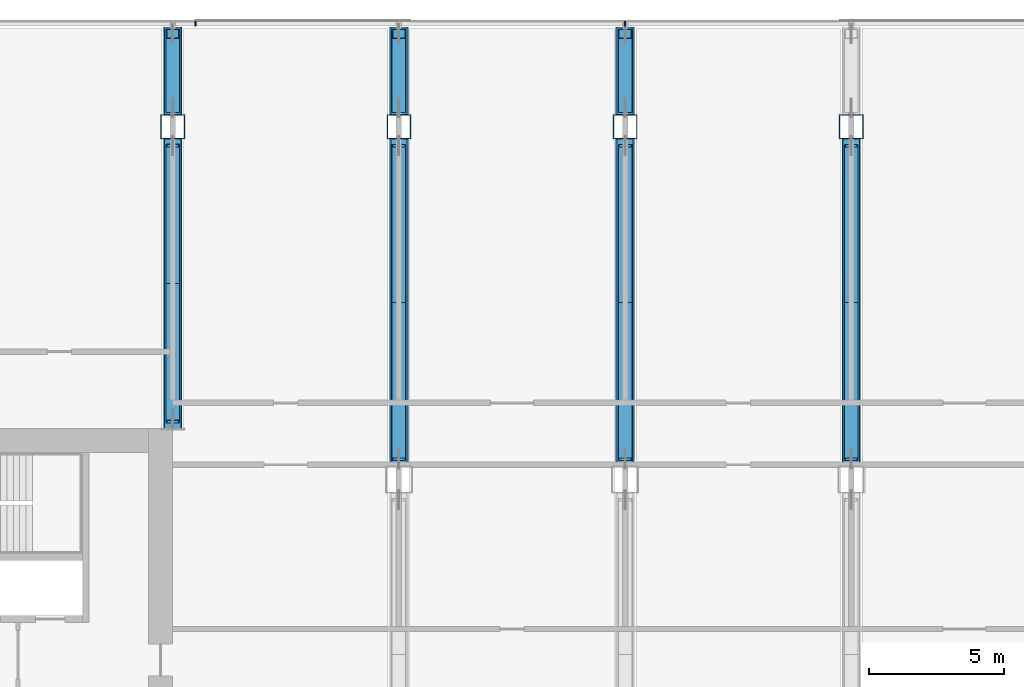
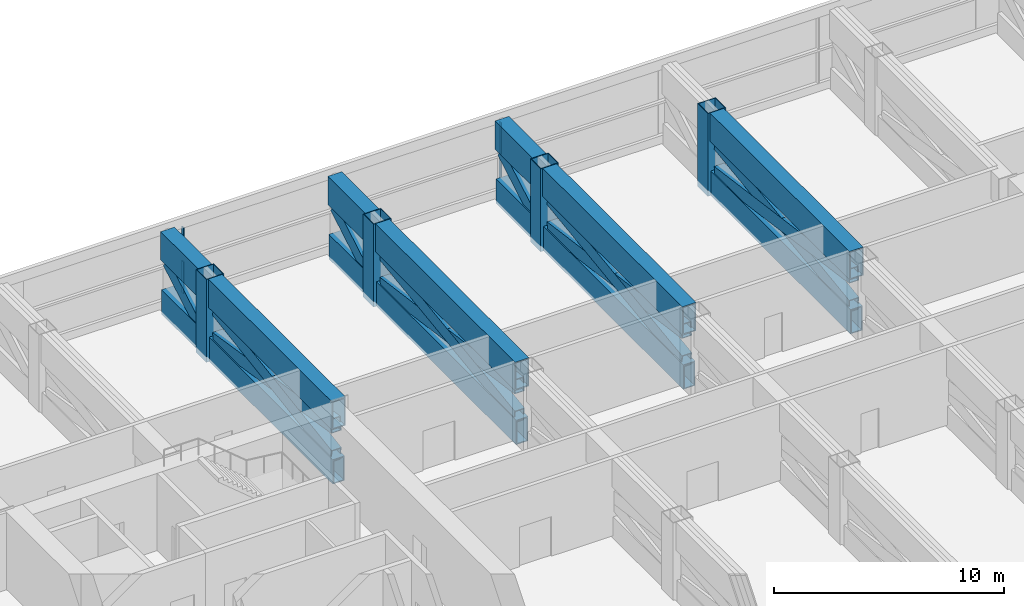
# One storey, part 8 of 30: 33 members, 1 element without a shape of its own.
"""IFC4 building model written with IfcOpenShell, lengths in metres."""

from ifc_helpers import new_model, si_unit, direction, frame, origin, origin_2d, place, context, subcontext, project, spatial, rectangle, hollow_rectangle, extrude, material, layer, layer_set, material_profile, profile_set, type_object, element, aggregate, save


model = new_model("IFC4")

# Units and contexts
model_context = context("Model", 3, precision=1e-05, world=origin(), true_north=direction((0.0, 1.0)))
body_context = subcontext(model_context, "Body", "Model", "MODEL_VIEW")
ifc_project = project(units=[si_unit("LENGTHUNIT", "METRE"), si_unit("AREAUNIT", "SQUARE_METRE"), si_unit("VOLUMEUNIT", "CUBIC_METRE"), si_unit("PLANEANGLEUNIT", "RADIAN"), si_unit("MASSUNIT", "GRAM", prefix="KILO")], contexts=[model_context])

# Site, building, storey
site_placement = place(None, origin())
site = spatial("IfcSite", under=ifc_project, at=site_placement, CompositionType="ELEMENT")
building_placement = place(site_placement, origin())
building = spatial("IfcBuilding", under=site, at=building_placement, Name="Hakoniwa Tower and Hamabe Station Hall", CompositionType="ELEMENT")
storey_placement = place(building_placement, frame((0.0, 0.0, 64.60009765625)))
storey = spatial("IfcBuildingStorey", under=building, at=storey_placement, Name="L18", CompositionType="ELEMENT", Elevation=64.60009765625)

# Curtain wall, members
ifc_material_1 = material(Name="Dark low-e laminated glass", Category="glass")
ifc_layer = layer(ifc_material_1, 0.199951171875)
ifc_layer_set = layer_set([ifc_layer], Name="CW-6 PLANT LOUVRE")
curtain_wall_type = type_object("IfcCurtainWallType", Name="CW-6 PLANT LOUVRE", PredefinedType="NOTDEFINED", material=ifc_layer_set)
curtain_wall_placement = place(storey_placement, origin())
curtain_wall = element("IfcCurtainWall", 1, at=curtain_wall_placement, inside=storey, type_object=curtain_wall_type, Name="CW-6 curtain wall", PredefinedType="NOTDEFINED")
ifc_material_2 = material(Name="Aluminium 6063-T5 black anodised", Category="aluminium")
ifc_material_profile_1 = material_profile(ifc_material_2, rectangle(XDim=0.06005859375, YDim=0.179931640625, at=origin_2d()), Name="CW-1 MULLION 60X180")
ifc_profile_set_1 = profile_set([ifc_material_profile_1], Name="Aluminium 6063-T5 black anodised")
member_type_1 = type_object("IfcMemberType", Name="CW-1 MULLION 60X180", PredefinedType="MULLION", material=ifc_profile_set_1)
member_1_placement = place(storey_placement, frame((0.0, 23.431884765625, 0.349853515625), z_axis=(0.0, 0.0, 1.0), x_axis=(-1.0, 0.0, 0.0)))
member_1 = element("IfcMember", 2, at=member_1_placement, type_object=member_type_1, Name="CW-6 mullion", PredefinedType="MULLION", context=body_context, shape_type="SweptSolid", body=[
    extrude(rectangle(XDim=0.06005859375, YDim=0.179931640625, at=origin_2d()), origin(), (0.0, 0.0, 1.0), 1.68994140625),
])
member_2_placement = place(storey_placement, frame((0.0, 23.431884765625, 2.159912109375), z_axis=(0.0, 0.0, 1.0), x_axis=(-1.0, 0.0, 0.0)))
member_2 = element("IfcMember", 3, at=member_2_placement, type_object=member_type_1, Name="CW-6 mullion", PredefinedType="MULLION", context=body_context, shape_type="SweptSolid", body=[
    extrude(rectangle(XDim=0.06005859375, YDim=0.179931640625, at=origin_2d()), origin(), (0.0, 0.0, 1.0), 1.68994140625),
])
member_3_placement = place(storey_placement, frame((-15.946533203125, 23.431884765625, 0.349853515625), z_axis=(0.0, 0.0, 1.0), x_axis=(-1.0, 0.0, 0.0)))
member_3 = element("IfcMember", 4, at=member_3_placement, type_object=member_type_1, Name="CW-6 mullion", PredefinedType="MULLION", context=body_context, shape_type="SweptSolid", body=[
    extrude(rectangle(XDim=0.06005859375, YDim=0.179931640625, at=origin_2d()), origin(), (0.0, 0.0, 1.0), 1.68994140625),
])
member_4_placement = place(storey_placement, frame((-15.946533203125, 23.431884765625, 2.159912109375), z_axis=(0.0, 0.0, 1.0), x_axis=(-1.0, 0.0, 0.0)))
member_4 = element("IfcMember", 5, at=member_4_placement, type_object=member_type_1, Name="CW-6 mullion", PredefinedType="MULLION", context=body_context, shape_type="SweptSolid", body=[
    extrude(rectangle(XDim=0.06005859375, YDim=0.179931640625, at=origin_2d()), origin(), (0.0, 0.0, 1.0), 1.68994140625),
])
aggregate(curtain_wall, [member_1, member_2, member_3, member_4])

# Members
ifc_material_3 = material(Name="Steel SN490C", Category="steel")
ifc_material_profile_2 = material_profile(ifc_material_3, hollow_rectangle(XDim=0.60009765625, YDim=1.300048828125, WallThickness=0.050048828125, at=origin_2d()), Name="BX-1300x600x50")
ifc_profile_set_2 = profile_set([ifc_material_profile_2], Name="Steel SN490C")
member_type_2 = type_object("IfcMemberType", Name="TRUSS CHORD BX-1300x600x50", PredefinedType="CHORD", material=ifc_profile_set_2)
member_5_placement = place(storey_placement, frame((-16.800048828125, 8.39990234375, 0.349853515625), z_axis=(0.0, 1.0, 0.0), x_axis=(-1.0, 0.0, 0.0)))
element("IfcMember", 6, at=member_5_placement, inside=storey, type_object=member_type_2, Name="Truss T1-11-BC01", PredefinedType="CHORD", context=body_context, shape_type="SweptSolid", body=[
    extrude(hollow_rectangle(XDim=0.60009765625, YDim=1.300048828125, WallThickness=0.050048828125, at=origin_2d()), origin(), (0.0, 0.0, 1.0), 10.75),
])
member_6_placement = place(storey_placement, frame((-16.800048828125, 20.050048828125, 0.349853515625), z_axis=(0.0, 1.0, 0.0), x_axis=(-1.0, 0.0, 0.0)))
element("IfcMember", 7, at=member_6_placement, inside=storey, type_object=member_type_2, Name="Truss T1-11-BCH", PredefinedType="CHORD", context=body_context, shape_type="SweptSolid", body=[
    extrude(hollow_rectangle(XDim=0.60009765625, YDim=1.300048828125, WallThickness=0.050048828125, at=origin_2d()), origin(), (0.0, 0.0, 1.0), 3.25),
])
member_7_placement = place(storey_placement, frame((-8.39990234375, 7.0, 0.349853515625), z_axis=(0.0, 1.0, 0.0), x_axis=(-1.0, 0.0, 0.0)))
element("IfcMember", 8, at=member_7_placement, inside=storey, type_object=member_type_2, Name="Truss T1-12-BC03", PredefinedType="CHORD", context=body_context, shape_type="SweptSolid", body=[
    extrude(hollow_rectangle(XDim=0.60009765625, YDim=1.300048828125, WallThickness=0.050048828125, at=origin_2d()), origin(), (0.0, 0.0, 1.0), 12.14990234375),
])
member_8_placement = place(storey_placement, frame((-8.39990234375, 20.050048828125, 0.349853515625), z_axis=(0.0, 1.0, 0.0), x_axis=(-1.0, 0.0, 0.0)))
element("IfcMember", 9, at=member_8_placement, inside=storey, type_object=member_type_2, Name="Truss T1-12-BCH", PredefinedType="CHORD", context=body_context, shape_type="SweptSolid", body=[
    extrude(hollow_rectangle(XDim=0.60009765625, YDim=1.300048828125, WallThickness=0.050048828125, at=origin_2d()), origin(), (0.0, 0.0, 1.0), 3.25),
])
member_9_placement = place(storey_placement, frame((0.0, 7.0, 0.349853515625), z_axis=(0.0, 1.0, 0.0), x_axis=(-1.0, 0.0, 0.0)))
element("IfcMember", 10, at=member_9_placement, inside=storey, type_object=member_type_2, Name="Truss T1-13-BC03", PredefinedType="CHORD", context=body_context, shape_type="SweptSolid", body=[
    extrude(hollow_rectangle(XDim=0.60009765625, YDim=1.300048828125, WallThickness=0.050048828125, at=origin_2d()), origin(), (0.0, 0.0, 1.0), 12.14990234375),
])
member_10_placement = place(storey_placement, frame((0.0, 20.050048828125, 0.349853515625), z_axis=(0.0, 1.0, 0.0), x_axis=(-1.0, 0.0, 0.0)))
element("IfcMember", 11, at=member_10_placement, inside=storey, type_object=member_type_2, Name="Truss T1-13-BCH", PredefinedType="CHORD", context=body_context, shape_type="SweptSolid", body=[
    extrude(hollow_rectangle(XDim=0.60009765625, YDim=1.300048828125, WallThickness=0.050048828125, at=origin_2d()), origin(), (0.0, 0.0, 1.0), 3.25),
])
member_11_placement = place(storey_placement, frame((8.39990234375, 7.0, 0.349853515625), z_axis=(0.0, 1.0, 0.0), x_axis=(-1.0, 0.0, 0.0)))
element("IfcMember", 12, at=member_11_placement, inside=storey, type_object=member_type_2, Name="Truss T1-14-BC03", PredefinedType="CHORD", context=body_context, shape_type="SweptSolid", body=[
    extrude(hollow_rectangle(XDim=0.60009765625, YDim=1.300048828125, WallThickness=0.050048828125, at=origin_2d()), origin(), (0.0, 0.0, 1.0), 12.14990234375),
])
ifc_material_4 = material(Name="Steel SN490C", Category="steel")
ifc_material_profile_3 = material_profile(ifc_material_4, hollow_rectangle(XDim=0.699951171875, YDim=1.5, WallThickness=0.054931640625, at=origin_2d()), Name="BX-1500x700x55")
ifc_profile_set_3 = profile_set([ifc_material_profile_3], Name="Steel SN490C")
member_type_3 = type_object("IfcMemberType", Name="TRUSS CHORD BX-1500x700x55", PredefinedType="CHORD", material=ifc_profile_set_3)
member_12_placement = place(storey_placement, frame((-16.800048828125, 8.39990234375, 3.349853515625), z_axis=(0.0, 1.0, 0.0), x_axis=(-1.0, 0.0, 0.0)))
element("IfcMember", 13, at=member_12_placement, inside=storey, type_object=member_type_3, Name="Truss T1-11-TC01", PredefinedType="CHORD", context=body_context, shape_type="SweptSolid", body=[
    extrude(hollow_rectangle(XDim=0.699951171875, YDim=1.5, WallThickness=0.054931640625, at=origin_2d()), origin(), (0.0, 0.0, 1.0), 10.75),
])
member_13_placement = place(storey_placement, frame((-16.800048828125, 20.050048828125, 3.349853515625), z_axis=(0.0, 1.0, 0.0), x_axis=(-1.0, 0.0, 0.0)))
element("IfcMember", 14, at=member_13_placement, inside=storey, type_object=member_type_3, Name="Truss T1-11-TCH", PredefinedType="CHORD", context=body_context, shape_type="SweptSolid", body=[
    extrude(hollow_rectangle(XDim=0.699951171875, YDim=1.5, WallThickness=0.054931640625, at=origin_2d()), origin(), (0.0, 0.0, 1.0), 3.25),
])
member_14_placement = place(storey_placement, frame((-8.39990234375, 7.0, 3.349853515625), z_axis=(0.0, 1.0, 0.0), x_axis=(-1.0, 0.0, 0.0)))
element("IfcMember", 15, at=member_14_placement, inside=storey, type_object=member_type_3, Name="Truss T1-12-TC03", PredefinedType="CHORD", context=body_context, shape_type="SweptSolid", body=[
    extrude(hollow_rectangle(XDim=0.699951171875, YDim=1.5, WallThickness=0.054931640625, at=origin_2d()), origin(), (0.0, 0.0, 1.0), 12.14990234375),
])
member_15_placement = place(storey_placement, frame((-8.39990234375, 20.050048828125, 3.349853515625), z_axis=(0.0, 1.0, 0.0), x_axis=(-1.0, 0.0, 0.0)))
element("IfcMember", 16, at=member_15_placement, inside=storey, type_object=member_type_3, Name="Truss T1-12-TCH", PredefinedType="CHORD", context=body_context, shape_type="SweptSolid", body=[
    extrude(hollow_rectangle(XDim=0.699951171875, YDim=1.5, WallThickness=0.054931640625, at=origin_2d()), origin(), (0.0, 0.0, 1.0), 3.25),
])
member_16_placement = place(storey_placement, frame((0.0, 7.0, 3.349853515625), z_axis=(0.0, 1.0, 0.0), x_axis=(-1.0, 0.0, 0.0)))
element("IfcMember", 17, at=member_16_placement, inside=storey, type_object=member_type_3, Name="Truss T1-13-TC03", PredefinedType="CHORD", context=body_context, shape_type="SweptSolid", body=[
    extrude(hollow_rectangle(XDim=0.699951171875, YDim=1.5, WallThickness=0.054931640625, at=origin_2d()), origin(), (0.0, 0.0, 1.0), 12.14990234375),
])
member_17_placement = place(storey_placement, frame((0.0, 20.050048828125, 3.349853515625), z_axis=(0.0, 1.0, 0.0), x_axis=(-1.0, 0.0, 0.0)))
element("IfcMember", 18, at=member_17_placement, inside=storey, type_object=member_type_3, Name="Truss T1-13-TCH", PredefinedType="CHORD", context=body_context, shape_type="SweptSolid", body=[
    extrude(hollow_rectangle(XDim=0.699951171875, YDim=1.5, WallThickness=0.054931640625, at=origin_2d()), origin(), (0.0, 0.0, 1.0), 3.25),
])
member_18_placement = place(storey_placement, frame((8.39990234375, 7.0, 3.349853515625), z_axis=(0.0, 1.0, 0.0), x_axis=(-1.0, 0.0, 0.0)))
element("IfcMember", 19, at=member_18_placement, inside=storey, type_object=member_type_3, Name="Truss T1-14-TC03", PredefinedType="CHORD", context=body_context, shape_type="SweptSolid", body=[
    extrude(hollow_rectangle(XDim=0.699951171875, YDim=1.5, WallThickness=0.054931640625, at=origin_2d()), origin(), (0.0, 0.0, 1.0), 12.14990234375),
])
ifc_material_5 = material(Name="Steel SN490C", Category="steel")
ifc_material_profile_4 = material_profile(ifc_material_5, hollow_rectangle(XDim=0.5, YDim=0.699951171875, WallThickness=0.031982421875, at=origin_2d()), Name="BX-700x500x32")
ifc_profile_set_4 = profile_set([ifc_material_profile_4], Name="Steel SN490C")
member_type_4 = type_object("IfcMemberType", Name="TRUSS DIAGONAL BX-700x500x32", PredefinedType="BRACE", material=ifc_profile_set_4)
for number, where, z_axis, x_axis, name in (
    (20, (-16.800048828125, 8.64990234375, 1.0), (0.0, 0.988037147164, 0.15421606863), (-1.0, 0.0, 0.0), "Truss T1-11-D01a"),
    (21, (-16.800048828125, 8.64990234375, 2.599853515625), (0.0, 0.988037147164, -0.15421606863), (-1.0, 0.0, 0.0), "Truss T1-11-D01b"),
):
    element("IfcMember", number, at=place(storey_placement, frame(where, z_axis=z_axis, x_axis=x_axis)), inside=storey, type_object=member_type_4, Name=name, PredefinedType="BRACE", context=body_context, shape_type="SweptSolid", body=[
        extrude(hollow_rectangle(XDim=0.5, YDim=0.699951171875, WallThickness=0.031982421875, at=origin_2d()), origin(), (0.0, 0.0, 1.0), 10.3740234375),
    ])
member_19_placement = place(storey_placement, frame((-16.800048828125, 20.300048828125, 1.0), z_axis=(0.0, 0.864368350493, 0.502859179757), x_axis=(-1.0, 0.0, 0.0)))
element("IfcMember", 22, at=member_19_placement, inside=storey, type_object=member_type_4, Name="Truss T1-11-DHa", PredefinedType="BRACE", context=body_context, shape_type="SweptSolid", body=[
    extrude(hollow_rectangle(XDim=0.5, YDim=0.699951171875, WallThickness=0.031982421875, at=origin_2d()), origin(), (0.0, 0.0, 1.0), 3.181396484375),
])
for number, where, z_axis, x_axis, name in (
    (23, (-8.39990234375, 7.25, 1.0), (0.0, 0.990701870054, 0.136050743), (-1.0, 0.0, 0.0), "Truss T1-12-D03a"),
    (24, (-8.39990234375, 7.25, 2.599853515625), (0.0, 0.990701870054, -0.136050743), (-1.0, 0.0, 0.0), "Truss T1-12-D03b"),
):
    element("IfcMember", number, at=place(storey_placement, frame(where, z_axis=z_axis, x_axis=x_axis)), inside=storey, type_object=member_type_4, Name=name, PredefinedType="BRACE", context=body_context, shape_type="SweptSolid", body=[
        extrude(hollow_rectangle(XDim=0.5, YDim=0.699951171875, WallThickness=0.031982421875, at=origin_2d()), origin(), (0.0, 0.0, 1.0), 11.75927734375),
    ])
member_20_placement = place(storey_placement, frame((-8.39990234375, 20.300048828125, 1.0), z_axis=(0.0, 0.864368350493, 0.502859179757), x_axis=(-1.0, 0.0, 0.0)))
element("IfcMember", 25, at=member_20_placement, inside=storey, type_object=member_type_4, Name="Truss T1-12-DHa", PredefinedType="BRACE", context=body_context, shape_type="SweptSolid", body=[
    extrude(hollow_rectangle(XDim=0.5, YDim=0.699951171875, WallThickness=0.031982421875, at=origin_2d()), origin(), (0.0, 0.0, 1.0), 3.181396484375),
])
for number, where, z_axis, x_axis, name in (
    (26, (0.0, 7.25, 1.0), (0.0, 0.990701870054, 0.136050743), (-1.0, 0.0, 0.0), "Truss T1-13-D03a"),
    (27, (0.0, 7.25, 2.599853515625), (0.0, 0.990701870054, -0.136050743), (-1.0, 0.0, 0.0), "Truss T1-13-D03b"),
):
    element("IfcMember", number, at=place(storey_placement, frame(where, z_axis=z_axis, x_axis=x_axis)), inside=storey, type_object=member_type_4, Name=name, PredefinedType="BRACE", context=body_context, shape_type="SweptSolid", body=[
        extrude(hollow_rectangle(XDim=0.5, YDim=0.699951171875, WallThickness=0.031982421875, at=origin_2d()), origin(), (0.0, 0.0, 1.0), 11.75927734375),
    ])
member_21_placement = place(storey_placement, frame((0.0, 20.300048828125, 1.0), z_axis=(0.0, 0.864368350493, 0.502859179757), x_axis=(-1.0, 0.0, 0.0)))
element("IfcMember", 28, at=member_21_placement, inside=storey, type_object=member_type_4, Name="Truss T1-13-DHa", PredefinedType="BRACE", context=body_context, shape_type="SweptSolid", body=[
    extrude(hollow_rectangle(XDim=0.5, YDim=0.699951171875, WallThickness=0.031982421875, at=origin_2d()), origin(), (0.0, 0.0, 1.0), 3.181396484375),
])
for number, where, z_axis, x_axis, name in (
    (29, (8.39990234375, 7.25, 1.0), (0.0, 0.990701870054, 0.136050743), (-1.0, 0.0, 0.0), "Truss T1-14-D03a"),
    (30, (8.39990234375, 7.25, 2.599853515625), (0.0, 0.990701870054, -0.136050743), (-1.0, 0.0, 0.0), "Truss T1-14-D03b"),
):
    element("IfcMember", number, at=place(storey_placement, frame(where, z_axis=z_axis, x_axis=x_axis)), inside=storey, type_object=member_type_4, Name=name, PredefinedType="BRACE", context=body_context, shape_type="SweptSolid", body=[
        extrude(hollow_rectangle(XDim=0.5, YDim=0.699951171875, WallThickness=0.031982421875, at=origin_2d()), origin(), (0.0, 0.0, 1.0), 11.75927734375),
    ])
ifc_material_6 = material(Name="Steel SN490C", Category="steel")
ifc_material_profile_5 = material_profile(ifc_material_6, hollow_rectangle(XDim=0.89990234375, YDim=0.89990234375, WallThickness=0.035888671875, at=origin_2d()), Name="BX-900x900x36")
ifc_profile_set_5 = profile_set([ifc_material_profile_5], Name="Steel SN490C")
member_type_5 = type_object("IfcMemberType", Name="TRUSS POST BX-900x900x36", PredefinedType="POST", material=ifc_profile_set_5)
for number, where, z_axis, x_axis, name in (
    (31, (-16.800048828125, 19.60009765625, -0.300048828125), (0.0, 0.0, 1.0), (1.0, 0.0, 0.0), "Truss T1-11-P02"),
    (32, (-8.39990234375, 19.60009765625, -0.300048828125), (0.0, 0.0, 1.0), (1.0, 0.0, 0.0), "Truss T1-12-P04"),
    (33, (0.0, 19.60009765625, -0.300048828125), (0.0, 0.0, 1.0), (1.0, 0.0, 0.0), "Truss T1-13-P04"),
    (34, (8.39990234375, 19.60009765625, -0.300048828125), (0.0, 0.0, 1.0), (1.0, 0.0, 0.0), "Truss T1-14-P04"),
):
    element("IfcMember", number, at=place(storey_placement, frame(where, z_axis=z_axis, x_axis=x_axis)), inside=storey, type_object=member_type_5, Name=name, PredefinedType="POST", context=body_context, shape_type="SweptSolid", body=[
        extrude(hollow_rectangle(XDim=0.89990234375, YDim=0.89990234375, WallThickness=0.035888671875, at=origin_2d()), origin(), (0.0, 0.0, 1.0), 4.39990234375),
    ])

save(model, "model.ifc")
